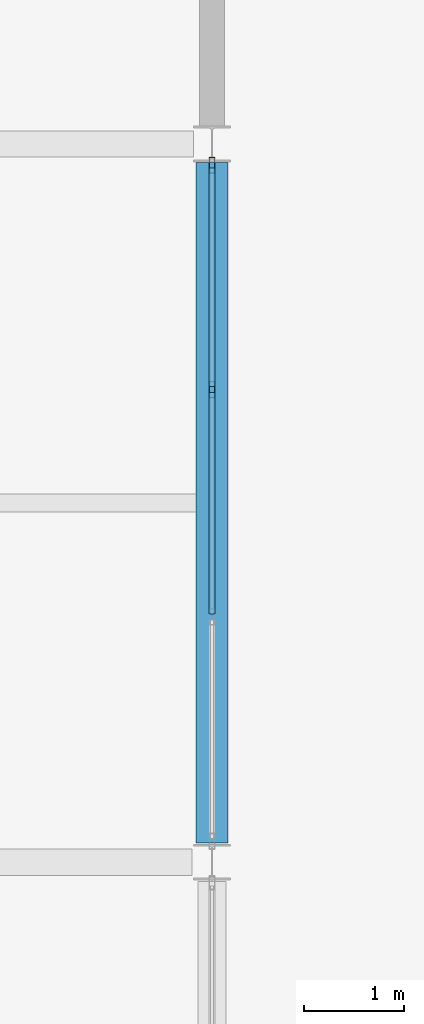
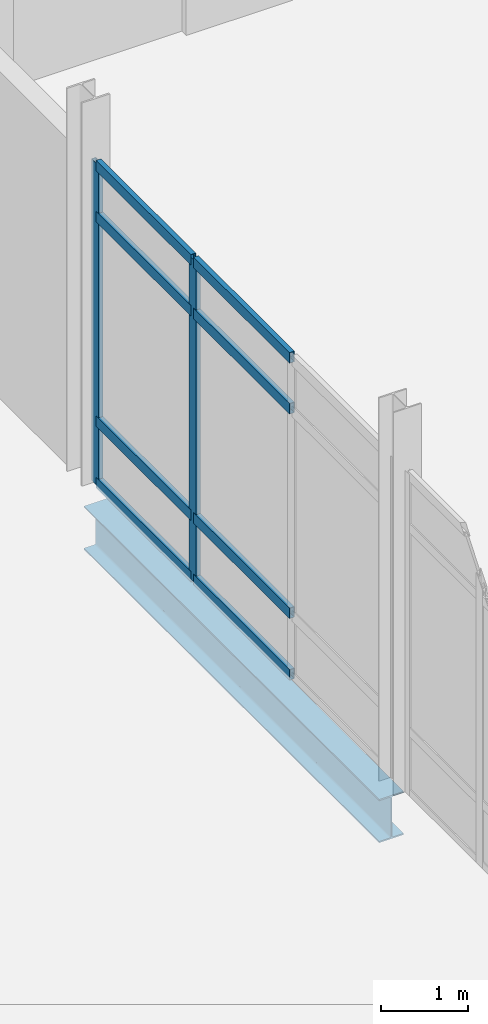
# One storey, part 104 of 229: 10 members, 1 beam, 1 element without a shape of its own.
"""IFC4 building model written with IfcOpenShell, lengths in metres."""

from ifc_helpers import new_model, si_unit, direction, frame, origin, origin_2d, place, context, subcontext, project, spatial, hollow_rectangle, i_section, extrude, material, layer, layer_set, material_profile, profile_set, type_object, element, aggregate, save


model = new_model("IFC4")

# Units and contexts
model_context = context("Model", 3, precision=1e-05, world=origin(), true_north=direction((0.0, 1.0)))
body_context = subcontext(model_context, "Body", "Model", "MODEL_VIEW")
ifc_project = project(units=[si_unit("LENGTHUNIT", "METRE"), si_unit("AREAUNIT", "SQUARE_METRE"), si_unit("VOLUMEUNIT", "CUBIC_METRE"), si_unit("PLANEANGLEUNIT", "RADIAN"), si_unit("MASSUNIT", "GRAM", prefix="KILO")], contexts=[model_context])

# Site, building, storey
site_placement = place(None, origin())
site = spatial("IfcSite", under=ifc_project, at=site_placement, CompositionType="ELEMENT")
building_placement = place(site_placement, origin())
building = spatial("IfcBuilding", under=site, at=building_placement, Name="Calvrana Isthmian Art Gallery", CompositionType="ELEMENT")
storey_placement = place(building_placement, origin())
storey = spatial("IfcBuildingStorey", under=building, at=storey_placement, Name="L00", CompositionType="ELEMENT", Elevation=0.0)

# Beam
ifc_material_1 = material(Name="Steel ASTM A992 Gr 50", Category="steel")
ifc_material_profile_1 = material_profile(ifc_material_1, i_section(OverallWidth=0.324951171875, OverallDepth=0.612060546875, WebThickness=0.0126953125, FlangeThickness=0.01904296875, FilletRadius=0.02197265625, at=origin_2d()), Name="W24X104")
ifc_profile_set_1 = profile_set([ifc_material_profile_1], Name="Steel ASTM A992 Gr 50")
beam_type = type_object("IfcBeamType", Name="BM-G-W24X104", PredefinedType="BEAM", material=ifc_profile_set_1)
beam_placement = place(storey_placement, frame((63.60009765625, 84.193115234375, -0.591064453125), z_axis=(0.0, 1.0, 0.0), x_axis=(-1.0, 0.0, 0.0)))
element("IfcBeam", 1, at=beam_placement, inside=storey, type_object=beam_type, Name="Girder Y L00 09/L-M", PredefinedType="BEAM", context=body_context, shape_type="SweptSolid", body=[
    extrude(i_section(OverallWidth=0.324951171875, OverallDepth=0.612060546875, WebThickness=0.0126953125, FlangeThickness=0.01904296875, FilletRadius=0.02197265625, at=origin_2d()), origin(), (0.0, 0.0, 1.0), 6.8203125),
])

# Curtain wall, members
ifc_material_2 = material(Name="Anodized bronze aluminium 6063-T6", Category="aluminium")
ifc_layer = layer(ifc_material_2, 0.179931640625, Name="Anodized bronze aluminium 6063-T6")
ifc_layer_set = layer_set([ifc_layer], Name="Anodized bronze aluminium 6063-T6")
curtain_wall_type = type_object("IfcCurtainWallType", Name="CW-STICK-068X45", PredefinedType="NOTDEFINED", material=ifc_layer_set)
curtain_wall_placement = place(storey_placement, origin())
curtain_wall = element("IfcCurtainWall", 2, at=curtain_wall_placement, inside=storey, type_object=curtain_wall_type, Name="Curtain wall CW-067", PredefinedType="NOTDEFINED")
ifc_material_profile_2 = material_profile(ifc_material_2, hollow_rectangle(XDim=0.06005859375, YDim=0.159912109375, WallThickness=0.00390625, at=origin_2d()), Name="CWM60X160")
ifc_profile_set_2 = profile_set([ifc_material_profile_2], Name="Anodized bronze aluminium 6063-T6")
member_type_1 = type_object("IfcMemberType", Name="CWM-CWM60X160", PredefinedType="MULLION", material=ifc_profile_set_2)
member_1_placement = place(storey_placement, frame((63.60009765625, 90.988525390625, 0.0), z_axis=(0.0, 0.0, 1.0), x_axis=(1.0, 0.0, 0.0)))
member_1 = element("IfcMember", 3, at=member_1_placement, type_object=member_type_1, Name="CW-067 mullion 1", PredefinedType="MULLION", context=body_context, shape_type="SweptSolid", body=[
    extrude(hollow_rectangle(XDim=0.06005859375, YDim=0.159912109375, WallThickness=0.00390625, at=origin_2d()), origin(), (0.0, 0.0, 1.0), 4.532958984375),
])
member_2_placement = place(storey_placement, frame((63.60009765625, 88.73828125, 0.0), z_axis=(0.0, 0.0, 1.0), x_axis=(1.0, 0.0, 0.0)))
member_2 = element("IfcMember", 4, at=member_2_placement, type_object=member_type_1, Name="CW-067 mullion 2", PredefinedType="MULLION", context=body_context, shape_type="SweptSolid", body=[
    extrude(hollow_rectangle(XDim=0.06005859375, YDim=0.159912109375, WallThickness=0.00390625, at=origin_2d()), origin(), (0.0, 0.0, 1.0), 4.532958984375),
])
ifc_material_profile_3 = material_profile(ifc_material_2, hollow_rectangle(XDim=0.06494140625, YDim=0.14990234375, WallThickness=0.00390625, at=origin_2d()), Name="CWT65X150")
ifc_profile_set_3 = profile_set([ifc_material_profile_3], Name="Anodized bronze aluminium 6063-T6")
member_type_2 = type_object("IfcMemberType", Name="CWT-CWT65X150", PredefinedType="USERDEFINED", material=ifc_profile_set_3)
member_3_placement = place(storey_placement, frame((63.60009765625, 90.95849609375, 0.032470703125), z_axis=(0.0, -1.0, 0.0), x_axis=(1.0, 0.0, 0.0)))
member_3 = element("IfcMember", 5, at=member_3_placement, type_object=member_type_2, Name="CW-067 transom 1.1", ObjectType="TRANSOM", PredefinedType="USERDEFINED", context=body_context, shape_type="SweptSolid", body=[
    extrude(hollow_rectangle(XDim=0.06494140625, YDim=0.14990234375, WallThickness=0.00390625, at=origin_2d()), origin(), (0.0, 0.0, 1.0), 2.190185546875),
])
member_4_placement = place(storey_placement, frame((63.60009765625, 90.95849609375, 0.89990234375), z_axis=(0.0, -1.0, 0.0), x_axis=(1.0, 0.0, 0.0)))
member_4 = element("IfcMember", 6, at=member_4_placement, type_object=member_type_2, Name="CW-067 transom 1.2", ObjectType="TRANSOM", PredefinedType="USERDEFINED", context=body_context, shape_type="SweptSolid", body=[
    extrude(hollow_rectangle(XDim=0.06494140625, YDim=0.14990234375, WallThickness=0.00390625, at=origin_2d()), origin(), (0.0, 0.0, 1.0), 2.190185546875),
])
member_5_placement = place(storey_placement, frame((63.60009765625, 90.95849609375, 3.782958984375), z_axis=(0.0, -1.0, 0.0), x_axis=(1.0, 0.0, 0.0)))
member_5 = element("IfcMember", 7, at=member_5_placement, type_object=member_type_2, Name="CW-067 transom 1.3", ObjectType="TRANSOM", PredefinedType="USERDEFINED", context=body_context, shape_type="SweptSolid", body=[
    extrude(hollow_rectangle(XDim=0.06494140625, YDim=0.14990234375, WallThickness=0.00390625, at=origin_2d()), origin(), (0.0, 0.0, 1.0), 2.190185546875),
])
member_6_placement = place(storey_placement, frame((63.60009765625, 90.95849609375, 4.50048828125), z_axis=(0.0, -1.0, 0.0), x_axis=(1.0, 0.0, 0.0)))
member_6 = element("IfcMember", 8, at=member_6_placement, type_object=member_type_2, Name="CW-067 transom 1.4", ObjectType="TRANSOM", PredefinedType="USERDEFINED", context=body_context, shape_type="SweptSolid", body=[
    extrude(hollow_rectangle(XDim=0.06494140625, YDim=0.14990234375, WallThickness=0.00390625, at=origin_2d()), origin(), (0.0, 0.0, 1.0), 2.190185546875),
])
member_7_placement = place(storey_placement, frame((63.60009765625, 88.708251953125, 0.032470703125), z_axis=(0.0, -1.0, 0.0), x_axis=(1.0, 0.0, 0.0)))
member_7 = element("IfcMember", 9, at=member_7_placement, type_object=member_type_2, Name="CW-067 transom 2.1", ObjectType="TRANSOM", PredefinedType="USERDEFINED", context=body_context, shape_type="SweptSolid", body=[
    extrude(hollow_rectangle(XDim=0.06494140625, YDim=0.14990234375, WallThickness=0.00390625, at=origin_2d()), origin(), (0.0, 0.0, 1.0), 2.219970703125),
])
member_8_placement = place(storey_placement, frame((63.60009765625, 88.708251953125, 0.89990234375), z_axis=(0.0, -1.0, 0.0), x_axis=(1.0, 0.0, 0.0)))
member_8 = element("IfcMember", 10, at=member_8_placement, type_object=member_type_2, Name="CW-067 transom 2.2", ObjectType="TRANSOM", PredefinedType="USERDEFINED", context=body_context, shape_type="SweptSolid", body=[
    extrude(hollow_rectangle(XDim=0.06494140625, YDim=0.14990234375, WallThickness=0.00390625, at=origin_2d()), origin(), (0.0, 0.0, 1.0), 2.219970703125),
])
member_9_placement = place(storey_placement, frame((63.60009765625, 88.708251953125, 3.782958984375), z_axis=(0.0, -1.0, 0.0), x_axis=(1.0, 0.0, 0.0)))
member_9 = element("IfcMember", 11, at=member_9_placement, type_object=member_type_2, Name="CW-067 transom 2.3", ObjectType="TRANSOM", PredefinedType="USERDEFINED", context=body_context, shape_type="SweptSolid", body=[
    extrude(hollow_rectangle(XDim=0.06494140625, YDim=0.14990234375, WallThickness=0.00390625, at=origin_2d()), origin(), (0.0, 0.0, 1.0), 2.219970703125),
])
member_10_placement = place(storey_placement, frame((63.60009765625, 88.708251953125, 4.50048828125), z_axis=(0.0, -1.0, 0.0), x_axis=(1.0, 0.0, 0.0)))
member_10 = element("IfcMember", 12, at=member_10_placement, type_object=member_type_2, Name="CW-067 transom 2.4", ObjectType="TRANSOM", PredefinedType="USERDEFINED", context=body_context, shape_type="SweptSolid", body=[
    extrude(hollow_rectangle(XDim=0.06494140625, YDim=0.14990234375, WallThickness=0.00390625, at=origin_2d()), origin(), (0.0, 0.0, 1.0), 2.219970703125),
])
aggregate(curtain_wall, [member_1, member_2, member_3, member_4, member_5, member_6, member_7, member_8, member_9, member_10])

save(model, "model.ifc")
